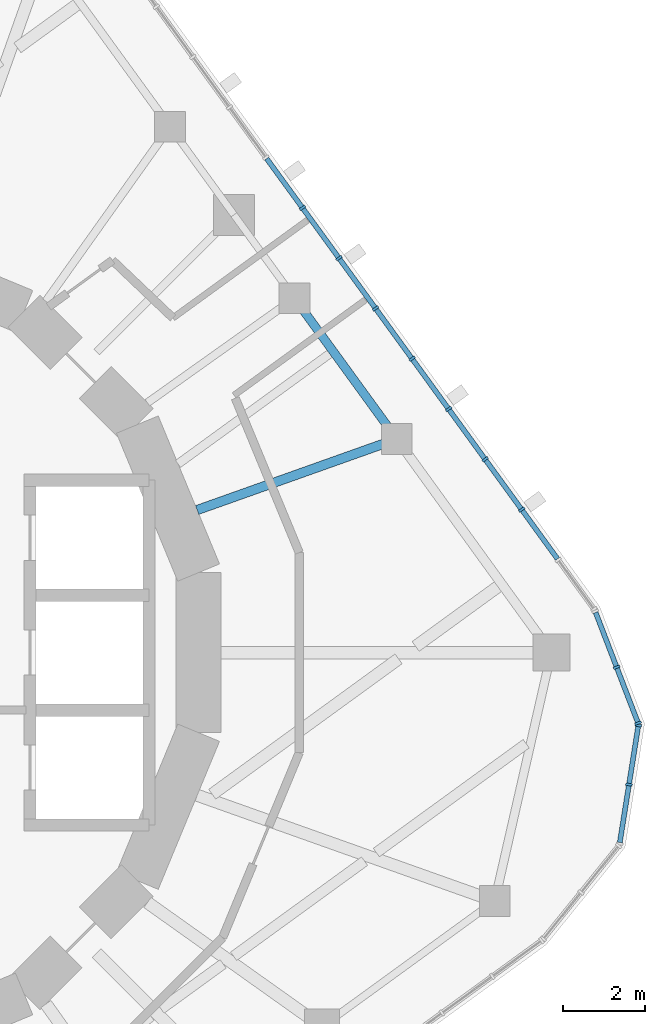
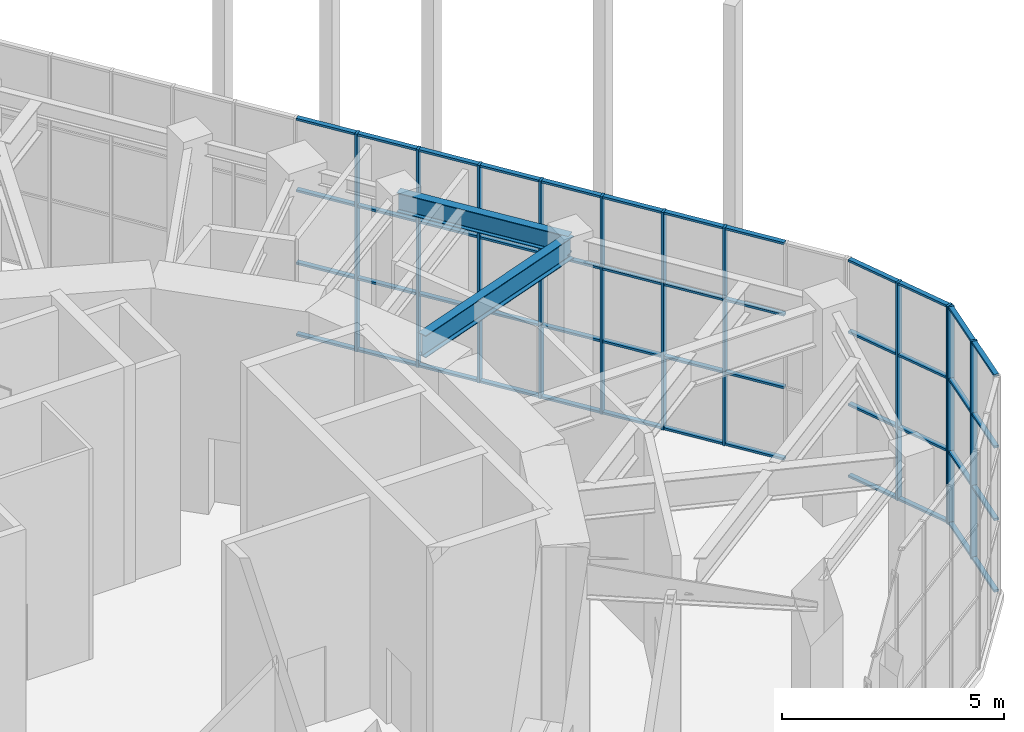
# One storey, part 8 of 17: 59 members, 2 beams, 3 elements without a shape of their own.
"""IFC4 building model written with IfcOpenShell, lengths in metres."""

from ifc_helpers import new_model, si_unit, direction, frame, origin, origin_2d, place, context, subcontext, project, spatial, rectangle, i_section, extrude, material, material_profile, profile_set, type_object, element, aggregate, save


model = new_model("IFC4")

# Units and contexts
model_context = context("Model", 3, precision=1e-05, world=origin(), true_north=direction((0.0, 1.0)))
body_context = subcontext(model_context, "Body", "Model", "MODEL_VIEW")
ifc_project = project(units=[si_unit("LENGTHUNIT", "METRE"), si_unit("AREAUNIT", "SQUARE_METRE"), si_unit("VOLUMEUNIT", "CUBIC_METRE"), si_unit("PLANEANGLEUNIT", "RADIAN"), si_unit("MASSUNIT", "GRAM", prefix="KILO")], contexts=[model_context])

# Site, building, storey
site_placement = place(None, origin())
site = spatial("IfcSite", under=ifc_project, at=site_placement, CompositionType="ELEMENT")
building_placement = place(site_placement, origin())
building = spatial("IfcBuilding", under=site, at=building_placement, Name="Nakasero Lantern House", CompositionType="ELEMENT")
storey_placement = place(building_placement, frame((0.0, 0.0, 298.39990234375)))
storey = spatial("IfcBuildingStorey", under=building, at=storey_placement, Name="L73", CompositionType="ELEMENT", Elevation=298.39990234375)

# Curtain wall, members
ifc_material_1 = material(Name="Aluminium 6063-T6 and glass", Category="aluminium")
curtain_wall_type = type_object("IfcCurtainWallType", Name="Lantern glazing CW-4", PredefinedType="USERDEFINED", material=ifc_material_1)
curtain_wall_1_placement = place(storey_placement, origin())
curtain_wall_1 = element("IfcCurtainWall", 1, at=curtain_wall_1_placement, inside=storey, type_object=curtain_wall_type, Name="Curtain wall CW-4 L73", ObjectType="UNITISED CURTAIN WALL", PredefinedType="USERDEFINED")
ifc_material_2 = material(Name="Aluminium 6063-T6", Category="aluminium")
ifc_material_profile_1 = material_profile(ifc_material_2, rectangle(XDim=0.06005859375, YDim=0.159912109375, at=origin_2d()), Name="CW-4 mullion 60x160")
ifc_profile_set_1 = profile_set([ifc_material_profile_1], Name="Aluminium 6063-T6")
member_type_1 = type_object("IfcMemberType", Name="Mullion CW-4", PredefinedType="MULLION", material=ifc_profile_set_1)
member_1_placement = place(storey_placement, frame((17.677734375, 3.48486328125, 0.0), z_axis=(0.0, 0.0, 1.0), x_axis=(-0.587785252292, 0.809016994375, 0.0)))
member_1 = element("IfcMember", 2, at=member_1_placement, type_object=member_type_1, Name="CW-4 mullion 3", PredefinedType="MULLION", context=body_context, shape_type="SweptSolid", body=[
    extrude(rectangle(XDim=0.06005859375, YDim=0.159912109375, at=origin_2d()), origin(), (0.0, 0.0, 1.0), 6.0),
])
member_2_placement = place(storey_placement, frame((16.787841796875, 4.7099609375, 0.0), z_axis=(0.0, 0.0, 1.0), x_axis=(-0.587785252292, 0.809016994375, 0.0)))
member_2 = element("IfcMember", 3, at=member_2_placement, type_object=member_type_1, Name="CW-4 mullion 4", PredefinedType="MULLION", context=body_context, shape_type="SweptSolid", body=[
    extrude(rectangle(XDim=0.06005859375, YDim=0.159912109375, at=origin_2d()), origin(), (0.0, 0.0, 1.0), 6.0),
])
member_3_placement = place(storey_placement, frame((15.897705078125, 5.93505859375, 0.0), z_axis=(0.0, 0.0, 1.0), x_axis=(-0.587785252292, 0.809016994375, 0.0)))
member_3 = element("IfcMember", 4, at=member_3_placement, type_object=member_type_1, Name="CW-4 mullion 5", PredefinedType="MULLION", context=body_context, shape_type="SweptSolid", body=[
    extrude(rectangle(XDim=0.06005859375, YDim=0.159912109375, at=origin_2d()), origin(), (0.0, 0.0, 1.0), 6.0),
])
member_4_placement = place(storey_placement, frame((15.007568359375, 7.16015625, 0.0), z_axis=(0.0, 0.0, 1.0), x_axis=(-0.587785252292, 0.809016994375, 0.0)))
member_4 = element("IfcMember", 5, at=member_4_placement, type_object=member_type_1, Name="CW-4 mullion 6", PredefinedType="MULLION", context=body_context, shape_type="SweptSolid", body=[
    extrude(rectangle(XDim=0.06005859375, YDim=0.159912109375, at=origin_2d()), origin(), (0.0, 0.0, 1.0), 6.0),
])
member_5_placement = place(storey_placement, frame((14.117431640625, 8.38525390625, 0.0), z_axis=(0.0, 0.0, 1.0), x_axis=(-0.587785252292, 0.809016994375, 0.0)))
member_5 = element("IfcMember", 6, at=member_5_placement, type_object=member_type_1, Name="CW-4 mullion 7", PredefinedType="MULLION", context=body_context, shape_type="SweptSolid", body=[
    extrude(rectangle(XDim=0.06005859375, YDim=0.159912109375, at=origin_2d()), origin(), (0.0, 0.0, 1.0), 6.0),
])
member_6_placement = place(storey_placement, frame((13.2275390625, 9.6103515625, 0.0), z_axis=(0.0, 0.0, 1.0), x_axis=(-0.587785252292, 0.809016994375, 0.0)))
member_6 = element("IfcMember", 7, at=member_6_placement, type_object=member_type_1, Name="CW-4 mullion 8", PredefinedType="MULLION", context=body_context, shape_type="SweptSolid", body=[
    extrude(rectangle(XDim=0.06005859375, YDim=0.159912109375, at=origin_2d()), origin(), (0.0, 0.0, 1.0), 6.0),
])
member_7_placement = place(storey_placement, frame((12.33740234375, 10.83544921875, 0.0), z_axis=(0.0, 0.0, 1.0), x_axis=(-0.587785252292, 0.809016994375, 0.0)))
member_7 = element("IfcMember", 8, at=member_7_placement, type_object=member_type_1, Name="CW-4 mullion 9", PredefinedType="MULLION", context=body_context, shape_type="SweptSolid", body=[
    extrude(rectangle(XDim=0.06005859375, YDim=0.159912109375, at=origin_2d()), origin(), (0.0, 0.0, 1.0), 6.0),
])

curtain_wall_2_placement = place(storey_placement, origin())
curtain_wall_2 = element("IfcCurtainWall", 9, at=curtain_wall_2_placement, inside=storey, type_object=curtain_wall_type, Name="Curtain wall CW-4 L73", ObjectType="UNITISED CURTAIN WALL", PredefinedType="USERDEFINED")
member_8_placement = place(storey_placement, frame((20.291748046875, -3.2138671875, 0.0), z_axis=(0.0, 0.0, 1.0), x_axis=(0.15643446504, 0.987688340595, 0.0)))
member_8 = element("IfcMember", 10, at=member_8_placement, type_object=member_type_1, Name="CW-4 mullion 2", PredefinedType="MULLION", context=body_context, shape_type="SweptSolid", body=[
    extrude(rectangle(XDim=0.06005859375, YDim=0.159912109375, at=origin_2d()), origin(), (0.0, 0.0, 1.0), 6.0),
])
member_9_placement = place(storey_placement, frame((20.52001953125, -1.773681640625, 0.0), z_axis=(0.0, 0.0, 1.0), x_axis=(0.15643446504, 0.987688340595, 0.0)))
member_9 = element("IfcMember", 11, at=member_9_placement, type_object=member_type_1, Name="CW-4 mullion 3", PredefinedType="MULLION", context=body_context, shape_type="SweptSolid", body=[
    extrude(rectangle(XDim=0.06005859375, YDim=0.159912109375, at=origin_2d()), origin(), (0.0, 0.0, 1.0), 6.0),
])

curtain_wall_3_placement = place(storey_placement, origin())
curtain_wall_3 = element("IfcCurtainWall", 12, at=curtain_wall_3_placement, inside=storey, type_object=curtain_wall_type, Name="Curtain wall CW-4 L73", ObjectType="UNITISED CURTAIN WALL", PredefinedType="USERDEFINED")
member_10_placement = place(storey_placement, frame((20.513916015625, -1.716064453125, 0.0), z_axis=(0.0, 0.0, 1.0), x_axis=(-0.358367949545, 0.933580426497, 0.0)))
member_10 = element("IfcMember", 13, at=member_10_placement, type_object=member_type_1, Name="CW-4 mullion 1", PredefinedType="MULLION", context=body_context, shape_type="SweptSolid", body=[
    extrude(rectangle(XDim=0.06005859375, YDim=0.159912109375, at=origin_2d()), origin(), (0.0, 0.0, 1.0), 6.0),
])
member_11_placement = place(storey_placement, frame((19.9912109375, -0.354736328125, 0.0), z_axis=(0.0, 0.0, 1.0), x_axis=(-0.358367949545, 0.933580426497, 0.0)))
member_11 = element("IfcMember", 14, at=member_11_placement, type_object=member_type_1, Name="CW-4 mullion 2", PredefinedType="MULLION", context=body_context, shape_type="SweptSolid", body=[
    extrude(rectangle(XDim=0.06005859375, YDim=0.159912109375, at=origin_2d()), origin(), (0.0, 0.0, 1.0), 6.0),
])

# Beams
ifc_material_3 = material(Name="Steel S355", Category="steel")
ifc_material_profile_2 = material_profile(ifc_material_3, i_section(OverallWidth=0.22900390625, OverallDepth=0.6123046875, WebThickness=0.011962890625, FlangeThickness=0.01953125, FilletRadius=0.0126953125, at=origin_2d()), Name="UB 610x229x125")
ifc_profile_set_2 = profile_set([ifc_material_profile_2], Name="Steel S355")
beam_type_1 = type_object("IfcBeamType", Name="Primary beam UB 610x229x125, span to 6 m", PredefinedType="BEAM", material=ifc_profile_set_2)
beam_1_placement = place(storey_placement, frame((14.636474609375, 5.2041015625, 5.493896484375), z_axis=(-0.942221324153, -0.3349910093, 0.0), x_axis=(0.3349910093, -0.942221324153, 0.0)))
element("IfcBeam", 15, at=beam_1_placement, inside=storey, type_object=beam_type_1, Name="Primary beam L74 B7-C04", PredefinedType="BEAM", context=body_context, shape_type="SweptSolid", body=[
    extrude(i_section(OverallWidth=0.22900390625, OverallDepth=0.6123046875, WebThickness=0.011962890625, FlangeThickness=0.01953125, FilletRadius=0.0126953125, at=origin_2d()), origin(), (0.0, 0.0, 1.0), 5.162841796875),
])
ifc_material_4 = material(Name="Steel S355", Category="steel")
ifc_material_profile_3 = material_profile(ifc_material_4, i_section(OverallWidth=0.2099609375, OverallDepth=0.53662109375, WebThickness=0.0107421875, FlangeThickness=0.017333984375, FilletRadius=0.0126953125, at=origin_2d()), Name="UB 533x210x101")
ifc_profile_set_3 = profile_set([ifc_material_profile_3], Name="Steel S355")
beam_type_2 = type_object("IfcBeamType", Name="Ring beam UB 533x210x101", PredefinedType="BEAM", material=ifc_profile_set_3)
beam_2_placement = place(storey_placement, frame((14.636474609375, 5.2041015625, 5.53173828125), z_axis=(-0.587791706687, 0.809012304944, 0.0), x_axis=(-0.809012304944, -0.587791706687, 0.0)))
element("IfcBeam", 16, at=beam_2_placement, inside=storey, type_object=beam_type_2, Name="Ring beam L74 B7-C04", PredefinedType="BEAM", context=body_context, shape_type="SweptSolid", body=[
    extrude(i_section(OverallWidth=0.2099609375, OverallDepth=0.53662109375, WebThickness=0.0107421875, FlangeThickness=0.017333984375, FilletRadius=0.0126953125, at=origin_2d()), origin(), (0.0, 0.0, 1.0), 4.2412109375),
])

# Member
ifc_material_5 = material(Name="Aluminium 6063-T6", Category="aluminium")
ifc_material_profile_4 = material_profile(ifc_material_5, rectangle(XDim=0.06005859375, YDim=0.1201171875, at=origin_2d()), Name="CW-4 transom 60x120")
ifc_profile_set_4 = profile_set([ifc_material_profile_4], Name="Aluminium 6063-T6")
member_type_2 = type_object("IfcMemberType", Name="Transom CW-4", PredefinedType="USERDEFINED", material=ifc_profile_set_4)
member_12_placement = place(storey_placement, frame((18.55029296875, 2.2841796875, 0.030029296875), z_axis=(-0.587762348068, 0.809033634773, 0.0), x_axis=(0.0, 0.0, 1.0)))
member_12 = element("IfcMember", 17, at=member_12_placement, type_object=member_type_2, Name="CW-4 transom 2.1", ObjectType="TRANSOM", PredefinedType="USERDEFINED", context=body_context, shape_type="SweptSolid", body=[
    extrude(rectangle(XDim=0.06005859375, YDim=0.1201171875, at=origin_2d()), origin(), (0.0, 0.0, 1.0), 1.4541015625),
])

member_13_placement = place(storey_placement, frame((18.55029296875, 2.2841796875, 2.0), z_axis=(-0.587762348068, 0.809033634773, 0.0), x_axis=(0.0, 0.0, 1.0)))
member_13 = element("IfcMember", 18, at=member_13_placement, type_object=member_type_2, Name="CW-4 transom 2.2", ObjectType="TRANSOM", PredefinedType="USERDEFINED", context=body_context, shape_type="SweptSolid", body=[
    extrude(rectangle(XDim=0.06005859375, YDim=0.1201171875, at=origin_2d()), origin(), (0.0, 0.0, 1.0), 1.4541015625),
])

member_14_placement = place(storey_placement, frame((18.55029296875, 2.2841796875, 4.0), z_axis=(-0.587762348068, 0.809033634773, 0.0), x_axis=(0.0, 0.0, 1.0)))
member_14 = element("IfcMember", 19, at=member_14_placement, type_object=member_type_2, Name="CW-4 transom 2.3", ObjectType="TRANSOM", PredefinedType="USERDEFINED", context=body_context, shape_type="SweptSolid", body=[
    extrude(rectangle(XDim=0.06005859375, YDim=0.1201171875, at=origin_2d()), origin(), (0.0, 0.0, 1.0), 1.4541015625),
])

member_15_placement = place(storey_placement, frame((18.55029296875, 2.2841796875, 5.97021484375), z_axis=(-0.587762348068, 0.809033634773, 0.0), x_axis=(0.0, 0.0, 1.0)))
member_15 = element("IfcMember", 20, at=member_15_placement, type_object=member_type_2, Name="CW-4 transom 2.4", ObjectType="TRANSOM", PredefinedType="USERDEFINED", context=body_context, shape_type="SweptSolid", body=[
    extrude(rectangle(XDim=0.06005859375, YDim=0.1201171875, at=origin_2d()), origin(), (0.0, 0.0, 1.0), 1.4541015625),
])

member_16_placement = place(storey_placement, frame((17.66015625, 3.509033203125, 0.030029296875), z_axis=(-0.587682523869, 0.809091620979, 0.0), x_axis=(0.0, 0.0, 1.0)))
member_16 = element("IfcMember", 21, at=member_16_placement, type_object=member_type_2, Name="CW-4 transom 3.1", ObjectType="TRANSOM", PredefinedType="USERDEFINED", context=body_context, shape_type="SweptSolid", body=[
    extrude(rectangle(XDim=0.06005859375, YDim=0.1201171875, at=origin_2d()), origin(), (0.0, 0.0, 1.0), 1.454345703125),
])

member_17_placement = place(storey_placement, frame((17.66015625, 3.509033203125, 2.0), z_axis=(-0.587682523869, 0.809091620979, 0.0), x_axis=(0.0, 0.0, 1.0)))
member_17 = element("IfcMember", 22, at=member_17_placement, type_object=member_type_2, Name="CW-4 transom 3.2", ObjectType="TRANSOM", PredefinedType="USERDEFINED", context=body_context, shape_type="SweptSolid", body=[
    extrude(rectangle(XDim=0.06005859375, YDim=0.1201171875, at=origin_2d()), origin(), (0.0, 0.0, 1.0), 1.454345703125),
])

member_18_placement = place(storey_placement, frame((17.66015625, 3.509033203125, 4.0), z_axis=(-0.587682523869, 0.809091620979, 0.0), x_axis=(0.0, 0.0, 1.0)))
member_18 = element("IfcMember", 23, at=member_18_placement, type_object=member_type_2, Name="CW-4 transom 3.3", ObjectType="TRANSOM", PredefinedType="USERDEFINED", context=body_context, shape_type="SweptSolid", body=[
    extrude(rectangle(XDim=0.06005859375, YDim=0.1201171875, at=origin_2d()), origin(), (0.0, 0.0, 1.0), 1.454345703125),
])

member_19_placement = place(storey_placement, frame((17.66015625, 3.509033203125, 5.97021484375), z_axis=(-0.587682523869, 0.809091620979, 0.0), x_axis=(0.0, 0.0, 1.0)))
member_19 = element("IfcMember", 24, at=member_19_placement, type_object=member_type_2, Name="CW-4 transom 3.4", ObjectType="TRANSOM", PredefinedType="USERDEFINED", context=body_context, shape_type="SweptSolid", body=[
    extrude(rectangle(XDim=0.06005859375, YDim=0.1201171875, at=origin_2d()), origin(), (0.0, 0.0, 1.0), 1.454345703125),
])

member_20_placement = place(storey_placement, frame((16.77001953125, 4.734130859375, 0.030029296875), z_axis=(-0.587682523869, 0.809091620979, 0.0), x_axis=(0.0, 0.0, 1.0)))
member_20 = element("IfcMember", 25, at=member_20_placement, type_object=member_type_2, Name="CW-4 transom 4.1", ObjectType="TRANSOM", PredefinedType="USERDEFINED", context=body_context, shape_type="SweptSolid", body=[
    extrude(rectangle(XDim=0.06005859375, YDim=0.1201171875, at=origin_2d()), origin(), (0.0, 0.0, 1.0), 1.454345703125),
])

member_21_placement = place(storey_placement, frame((16.77001953125, 4.734130859375, 2.0), z_axis=(-0.587682523869, 0.809091620979, 0.0), x_axis=(0.0, 0.0, 1.0)))
member_21 = element("IfcMember", 26, at=member_21_placement, type_object=member_type_2, Name="CW-4 transom 4.2", ObjectType="TRANSOM", PredefinedType="USERDEFINED", context=body_context, shape_type="SweptSolid", body=[
    extrude(rectangle(XDim=0.06005859375, YDim=0.1201171875, at=origin_2d()), origin(), (0.0, 0.0, 1.0), 1.454345703125),
])

member_22_placement = place(storey_placement, frame((16.77001953125, 4.734130859375, 4.0), z_axis=(-0.587682523869, 0.809091620979, 0.0), x_axis=(0.0, 0.0, 1.0)))
member_22 = element("IfcMember", 27, at=member_22_placement, type_object=member_type_2, Name="CW-4 transom 4.3", ObjectType="TRANSOM", PredefinedType="USERDEFINED", context=body_context, shape_type="SweptSolid", body=[
    extrude(rectangle(XDim=0.06005859375, YDim=0.1201171875, at=origin_2d()), origin(), (0.0, 0.0, 1.0), 1.454345703125),
])

member_23_placement = place(storey_placement, frame((16.77001953125, 4.734130859375, 5.97021484375), z_axis=(-0.587682523869, 0.809091620979, 0.0), x_axis=(0.0, 0.0, 1.0)))
member_23 = element("IfcMember", 28, at=member_23_placement, type_object=member_type_2, Name="CW-4 transom 4.4", ObjectType="TRANSOM", PredefinedType="USERDEFINED", context=body_context, shape_type="SweptSolid", body=[
    extrude(rectangle(XDim=0.06005859375, YDim=0.1201171875, at=origin_2d()), origin(), (0.0, 0.0, 1.0), 1.454345703125),
])

member_24_placement = place(storey_placement, frame((15.880126953125, 5.959228515625, 0.030029296875), z_axis=(-0.587872217916, 0.808953803009, 0.0), x_axis=(0.0, 0.0, 1.0)))
member_24 = element("IfcMember", 29, at=member_24_placement, type_object=member_type_2, Name="CW-4 transom 5.1", ObjectType="TRANSOM", PredefinedType="USERDEFINED", context=body_context, shape_type="SweptSolid", body=[
    extrude(rectangle(XDim=0.06005859375, YDim=0.1201171875, at=origin_2d()), origin(), (0.0, 0.0, 1.0), 1.454345703125),
])

member_25_placement = place(storey_placement, frame((15.880126953125, 5.959228515625, 2.0), z_axis=(-0.587872217916, 0.808953803009, 0.0), x_axis=(0.0, 0.0, 1.0)))
member_25 = element("IfcMember", 30, at=member_25_placement, type_object=member_type_2, Name="CW-4 transom 5.2", ObjectType="TRANSOM", PredefinedType="USERDEFINED", context=body_context, shape_type="SweptSolid", body=[
    extrude(rectangle(XDim=0.06005859375, YDim=0.1201171875, at=origin_2d()), origin(), (0.0, 0.0, 1.0), 1.454345703125),
])

member_26_placement = place(storey_placement, frame((15.880126953125, 5.959228515625, 4.0), z_axis=(-0.587872217916, 0.808953803009, 0.0), x_axis=(0.0, 0.0, 1.0)))
member_26 = element("IfcMember", 31, at=member_26_placement, type_object=member_type_2, Name="CW-4 transom 5.3", ObjectType="TRANSOM", PredefinedType="USERDEFINED", context=body_context, shape_type="SweptSolid", body=[
    extrude(rectangle(XDim=0.06005859375, YDim=0.1201171875, at=origin_2d()), origin(), (0.0, 0.0, 1.0), 1.454345703125),
])

member_27_placement = place(storey_placement, frame((15.880126953125, 5.959228515625, 5.97021484375), z_axis=(-0.587872217916, 0.808953803009, 0.0), x_axis=(0.0, 0.0, 1.0)))
member_27 = element("IfcMember", 32, at=member_27_placement, type_object=member_type_2, Name="CW-4 transom 5.4", ObjectType="TRANSOM", PredefinedType="USERDEFINED", context=body_context, shape_type="SweptSolid", body=[
    extrude(rectangle(XDim=0.06005859375, YDim=0.1201171875, at=origin_2d()), origin(), (0.0, 0.0, 1.0), 1.454345703125),
])

member_28_placement = place(storey_placement, frame((14.989990234375, 7.184326171875, 0.030029296875), z_axis=(-0.587762348068, 0.809033634773, 0.0), x_axis=(0.0, 0.0, 1.0)))
member_28 = element("IfcMember", 33, at=member_28_placement, type_object=member_type_2, Name="CW-4 transom 6.1", ObjectType="TRANSOM", PredefinedType="USERDEFINED", context=body_context, shape_type="SweptSolid", body=[
    extrude(rectangle(XDim=0.06005859375, YDim=0.1201171875, at=origin_2d()), origin(), (0.0, 0.0, 1.0), 1.4541015625),
])

member_29_placement = place(storey_placement, frame((14.989990234375, 7.184326171875, 2.0), z_axis=(-0.587762348068, 0.809033634773, 0.0), x_axis=(0.0, 0.0, 1.0)))
member_29 = element("IfcMember", 34, at=member_29_placement, type_object=member_type_2, Name="CW-4 transom 6.2", ObjectType="TRANSOM", PredefinedType="USERDEFINED", context=body_context, shape_type="SweptSolid", body=[
    extrude(rectangle(XDim=0.06005859375, YDim=0.1201171875, at=origin_2d()), origin(), (0.0, 0.0, 1.0), 1.4541015625),
])

member_30_placement = place(storey_placement, frame((14.989990234375, 7.184326171875, 4.0), z_axis=(-0.587762348068, 0.809033634773, 0.0), x_axis=(0.0, 0.0, 1.0)))
member_30 = element("IfcMember", 35, at=member_30_placement, type_object=member_type_2, Name="CW-4 transom 6.3", ObjectType="TRANSOM", PredefinedType="USERDEFINED", context=body_context, shape_type="SweptSolid", body=[
    extrude(rectangle(XDim=0.06005859375, YDim=0.1201171875, at=origin_2d()), origin(), (0.0, 0.0, 1.0), 1.4541015625),
])

member_31_placement = place(storey_placement, frame((14.989990234375, 7.184326171875, 5.97021484375), z_axis=(-0.587762348068, 0.809033634773, 0.0), x_axis=(0.0, 0.0, 1.0)))
member_31 = element("IfcMember", 36, at=member_31_placement, type_object=member_type_2, Name="CW-4 transom 6.4", ObjectType="TRANSOM", PredefinedType="USERDEFINED", context=body_context, shape_type="SweptSolid", body=[
    extrude(rectangle(XDim=0.06005859375, YDim=0.1201171875, at=origin_2d()), origin(), (0.0, 0.0, 1.0), 1.4541015625),
])

member_32_placement = place(storey_placement, frame((14.099853515625, 8.409423828125, 0.030029296875), z_axis=(-0.587762348068, 0.809033634773, 0.0), x_axis=(0.0, 0.0, 1.0)))
member_32 = element("IfcMember", 37, at=member_32_placement, type_object=member_type_2, Name="CW-4 transom 7.1", ObjectType="TRANSOM", PredefinedType="USERDEFINED", context=body_context, shape_type="SweptSolid", body=[
    extrude(rectangle(XDim=0.06005859375, YDim=0.1201171875, at=origin_2d()), origin(), (0.0, 0.0, 1.0), 1.4541015625),
])

member_33_placement = place(storey_placement, frame((14.099853515625, 8.409423828125, 2.0), z_axis=(-0.587762348068, 0.809033634773, 0.0), x_axis=(0.0, 0.0, 1.0)))
member_33 = element("IfcMember", 38, at=member_33_placement, type_object=member_type_2, Name="CW-4 transom 7.2", ObjectType="TRANSOM", PredefinedType="USERDEFINED", context=body_context, shape_type="SweptSolid", body=[
    extrude(rectangle(XDim=0.06005859375, YDim=0.1201171875, at=origin_2d()), origin(), (0.0, 0.0, 1.0), 1.4541015625),
])

member_34_placement = place(storey_placement, frame((14.099853515625, 8.409423828125, 4.0), z_axis=(-0.587762348068, 0.809033634773, 0.0), x_axis=(0.0, 0.0, 1.0)))
member_34 = element("IfcMember", 39, at=member_34_placement, type_object=member_type_2, Name="CW-4 transom 7.3", ObjectType="TRANSOM", PredefinedType="USERDEFINED", context=body_context, shape_type="SweptSolid", body=[
    extrude(rectangle(XDim=0.06005859375, YDim=0.1201171875, at=origin_2d()), origin(), (0.0, 0.0, 1.0), 1.4541015625),
])

member_35_placement = place(storey_placement, frame((14.099853515625, 8.409423828125, 5.97021484375), z_axis=(-0.587762348068, 0.809033634773, 0.0), x_axis=(0.0, 0.0, 1.0)))
member_35 = element("IfcMember", 40, at=member_35_placement, type_object=member_type_2, Name="CW-4 transom 7.4", ObjectType="TRANSOM", PredefinedType="USERDEFINED", context=body_context, shape_type="SweptSolid", body=[
    extrude(rectangle(XDim=0.06005859375, YDim=0.1201171875, at=origin_2d()), origin(), (0.0, 0.0, 1.0), 1.4541015625),
])

member_36_placement = place(storey_placement, frame((13.209716796875, 9.634521484375, 0.030029296875), z_axis=(-0.587762348068, 0.809033634773, 0.0), x_axis=(0.0, 0.0, 1.0)))
member_36 = element("IfcMember", 41, at=member_36_placement, type_object=member_type_2, Name="CW-4 transom 8.1", ObjectType="TRANSOM", PredefinedType="USERDEFINED", context=body_context, shape_type="SweptSolid", body=[
    extrude(rectangle(XDim=0.06005859375, YDim=0.1201171875, at=origin_2d()), origin(), (0.0, 0.0, 1.0), 1.4541015625),
])

member_37_placement = place(storey_placement, frame((13.209716796875, 9.634521484375, 2.0), z_axis=(-0.587762348068, 0.809033634773, 0.0), x_axis=(0.0, 0.0, 1.0)))
member_37 = element("IfcMember", 42, at=member_37_placement, type_object=member_type_2, Name="CW-4 transom 8.2", ObjectType="TRANSOM", PredefinedType="USERDEFINED", context=body_context, shape_type="SweptSolid", body=[
    extrude(rectangle(XDim=0.06005859375, YDim=0.1201171875, at=origin_2d()), origin(), (0.0, 0.0, 1.0), 1.4541015625),
])

member_38_placement = place(storey_placement, frame((13.209716796875, 9.634521484375, 4.0), z_axis=(-0.587762348068, 0.809033634773, 0.0), x_axis=(0.0, 0.0, 1.0)))
member_38 = element("IfcMember", 43, at=member_38_placement, type_object=member_type_2, Name="CW-4 transom 8.3", ObjectType="TRANSOM", PredefinedType="USERDEFINED", context=body_context, shape_type="SweptSolid", body=[
    extrude(rectangle(XDim=0.06005859375, YDim=0.1201171875, at=origin_2d()), origin(), (0.0, 0.0, 1.0), 1.4541015625),
])

member_39_placement = place(storey_placement, frame((13.209716796875, 9.634521484375, 5.97021484375), z_axis=(-0.587762348068, 0.809033634773, 0.0), x_axis=(0.0, 0.0, 1.0)))
member_39 = element("IfcMember", 44, at=member_39_placement, type_object=member_type_2, Name="CW-4 transom 8.4", ObjectType="TRANSOM", PredefinedType="USERDEFINED", context=body_context, shape_type="SweptSolid", body=[
    extrude(rectangle(XDim=0.06005859375, YDim=0.1201171875, at=origin_2d()), origin(), (0.0, 0.0, 1.0), 1.4541015625),
])

member_40_placement = place(storey_placement, frame((12.31982421875, 10.859619140625, 0.030029296875), z_axis=(-0.587872217916, 0.808953803009, 0.0), x_axis=(0.0, 0.0, 1.0)))
member_40 = element("IfcMember", 45, at=member_40_placement, type_object=member_type_2, Name="CW-4 transom 9.1", ObjectType="TRANSOM", PredefinedType="USERDEFINED", context=body_context, shape_type="SweptSolid", body=[
    extrude(rectangle(XDim=0.06005859375, YDim=0.1201171875, at=origin_2d()), origin(), (0.0, 0.0, 1.0), 1.454345703125),
])

member_41_placement = place(storey_placement, frame((12.31982421875, 10.859619140625, 2.0), z_axis=(-0.587872217916, 0.808953803009, 0.0), x_axis=(0.0, 0.0, 1.0)))
member_41 = element("IfcMember", 46, at=member_41_placement, type_object=member_type_2, Name="CW-4 transom 9.2", ObjectType="TRANSOM", PredefinedType="USERDEFINED", context=body_context, shape_type="SweptSolid", body=[
    extrude(rectangle(XDim=0.06005859375, YDim=0.1201171875, at=origin_2d()), origin(), (0.0, 0.0, 1.0), 1.454345703125),
])

member_42_placement = place(storey_placement, frame((12.31982421875, 10.859619140625, 4.0), z_axis=(-0.587872217916, 0.808953803009, 0.0), x_axis=(0.0, 0.0, 1.0)))
member_42 = element("IfcMember", 47, at=member_42_placement, type_object=member_type_2, Name="CW-4 transom 9.3", ObjectType="TRANSOM", PredefinedType="USERDEFINED", context=body_context, shape_type="SweptSolid", body=[
    extrude(rectangle(XDim=0.06005859375, YDim=0.1201171875, at=origin_2d()), origin(), (0.0, 0.0, 1.0), 1.454345703125),
])

member_43_placement = place(storey_placement, frame((12.31982421875, 10.859619140625, 5.97021484375), z_axis=(-0.587872217916, 0.808953803009, 0.0), x_axis=(0.0, 0.0, 1.0)))
member_43 = element("IfcMember", 48, at=member_43_placement, type_object=member_type_2, Name="CW-4 transom 9.4", ObjectType="TRANSOM", PredefinedType="USERDEFINED", context=body_context, shape_type="SweptSolid", body=[
    extrude(rectangle(XDim=0.06005859375, YDim=0.1201171875, at=origin_2d()), origin(), (0.0, 0.0, 1.0), 1.454345703125),
])

aggregate(curtain_wall_1, [member_1, member_2, member_3, member_4, member_5, member_6, member_7, member_12, member_13, member_14, member_15, member_16, member_17, member_18, member_19, member_20, member_21, member_22, member_23, member_24, member_25, member_26, member_27, member_28, member_29, member_30, member_31, member_32, member_33, member_34, member_35, member_36, member_37, member_38, member_39, member_40, member_41, member_42, member_43])

member_44_placement = place(storey_placement, frame((20.068359375, -4.62451171875, 0.030029296875), z_axis=(0.156464720495, 0.987683548127, 0.0), x_axis=(0.0, 0.0, 1.0)))
member_44 = element("IfcMember", 49, at=member_44_placement, type_object=member_type_2, Name="CW-4 transom 1.1", ObjectType="TRANSOM", PredefinedType="USERDEFINED", context=body_context, shape_type="SweptSolid", body=[
    extrude(rectangle(XDim=0.06005859375, YDim=0.1201171875, at=origin_2d()), origin(), (0.0, 0.0, 1.0), 1.398193359375),
])

member_45_placement = place(storey_placement, frame((20.068359375, -4.62451171875, 2.0), z_axis=(0.156464720495, 0.987683548127, 0.0), x_axis=(0.0, 0.0, 1.0)))
member_45 = element("IfcMember", 50, at=member_45_placement, type_object=member_type_2, Name="CW-4 transom 1.2", ObjectType="TRANSOM", PredefinedType="USERDEFINED", context=body_context, shape_type="SweptSolid", body=[
    extrude(rectangle(XDim=0.06005859375, YDim=0.1201171875, at=origin_2d()), origin(), (0.0, 0.0, 1.0), 1.398193359375),
])

member_46_placement = place(storey_placement, frame((20.068359375, -4.62451171875, 4.0), z_axis=(0.156464720495, 0.987683548127, 0.0), x_axis=(0.0, 0.0, 1.0)))
member_46 = element("IfcMember", 51, at=member_46_placement, type_object=member_type_2, Name="CW-4 transom 1.3", ObjectType="TRANSOM", PredefinedType="USERDEFINED", context=body_context, shape_type="SweptSolid", body=[
    extrude(rectangle(XDim=0.06005859375, YDim=0.1201171875, at=origin_2d()), origin(), (0.0, 0.0, 1.0), 1.398193359375),
])

member_47_placement = place(storey_placement, frame((20.068359375, -4.62451171875, 5.97021484375), z_axis=(0.156464720495, 0.987683548127, 0.0), x_axis=(0.0, 0.0, 1.0)))
member_47 = element("IfcMember", 52, at=member_47_placement, type_object=member_type_2, Name="CW-4 transom 1.4", ObjectType="TRANSOM", PredefinedType="USERDEFINED", context=body_context, shape_type="SweptSolid", body=[
    extrude(rectangle(XDim=0.06005859375, YDim=0.1201171875, at=origin_2d()), origin(), (0.0, 0.0, 1.0), 1.398193359375),
])

member_48_placement = place(storey_placement, frame((20.29638671875, -3.184326171875, 0.030029296875), z_axis=(0.156437738833, 0.987687822072, 0.0), x_axis=(0.0, 0.0, 1.0)))
member_48 = element("IfcMember", 53, at=member_48_placement, type_object=member_type_2, Name="CW-4 transom 2.1", ObjectType="TRANSOM", PredefinedType="USERDEFINED", context=body_context, shape_type="SweptSolid", body=[
    extrude(rectangle(XDim=0.06005859375, YDim=0.1201171875, at=origin_2d()), origin(), (0.0, 0.0, 1.0), 1.3984375),
])

member_49_placement = place(storey_placement, frame((20.29638671875, -3.184326171875, 2.0), z_axis=(0.156437738833, 0.987687822072, 0.0), x_axis=(0.0, 0.0, 1.0)))
member_49 = element("IfcMember", 54, at=member_49_placement, type_object=member_type_2, Name="CW-4 transom 2.2", ObjectType="TRANSOM", PredefinedType="USERDEFINED", context=body_context, shape_type="SweptSolid", body=[
    extrude(rectangle(XDim=0.06005859375, YDim=0.1201171875, at=origin_2d()), origin(), (0.0, 0.0, 1.0), 1.3984375),
])

member_50_placement = place(storey_placement, frame((20.29638671875, -3.184326171875, 4.0), z_axis=(0.156437738833, 0.987687822072, 0.0), x_axis=(0.0, 0.0, 1.0)))
member_50 = element("IfcMember", 55, at=member_50_placement, type_object=member_type_2, Name="CW-4 transom 2.3", ObjectType="TRANSOM", PredefinedType="USERDEFINED", context=body_context, shape_type="SweptSolid", body=[
    extrude(rectangle(XDim=0.06005859375, YDim=0.1201171875, at=origin_2d()), origin(), (0.0, 0.0, 1.0), 1.3984375),
])

member_51_placement = place(storey_placement, frame((20.29638671875, -3.184326171875, 5.97021484375), z_axis=(0.156437738833, 0.987687822072, 0.0), x_axis=(0.0, 0.0, 1.0)))
member_51 = element("IfcMember", 56, at=member_51_placement, type_object=member_type_2, Name="CW-4 transom 2.4", ObjectType="TRANSOM", PredefinedType="USERDEFINED", context=body_context, shape_type="SweptSolid", body=[
    extrude(rectangle(XDim=0.06005859375, YDim=0.1201171875, at=origin_2d()), origin(), (0.0, 0.0, 1.0), 1.3984375),
])

aggregate(curtain_wall_2, [member_8, member_9, member_44, member_45, member_46, member_47, member_48, member_49, member_50, member_51])

member_52_placement = place(storey_placement, frame((20.503173828125, -1.68798828125, 0.030029296875), z_axis=(-0.358440839092, 0.933552443557, 0.0), x_axis=(0.0, 0.0, 1.0)))
member_52 = element("IfcMember", 57, at=member_52_placement, type_object=member_type_2, Name="CW-4 transom 1.1", ObjectType="TRANSOM", PredefinedType="USERDEFINED", context=body_context, shape_type="SweptSolid", body=[
    extrude(rectangle(XDim=0.06005859375, YDim=0.1201171875, at=origin_2d()), origin(), (0.0, 0.0, 1.0), 1.3984375),
])

member_53_placement = place(storey_placement, frame((20.503173828125, -1.68798828125, 2.0), z_axis=(-0.358440839092, 0.933552443557, 0.0), x_axis=(0.0, 0.0, 1.0)))
member_53 = element("IfcMember", 58, at=member_53_placement, type_object=member_type_2, Name="CW-4 transom 1.2", ObjectType="TRANSOM", PredefinedType="USERDEFINED", context=body_context, shape_type="SweptSolid", body=[
    extrude(rectangle(XDim=0.06005859375, YDim=0.1201171875, at=origin_2d()), origin(), (0.0, 0.0, 1.0), 1.3984375),
])

member_54_placement = place(storey_placement, frame((20.503173828125, -1.68798828125, 4.0), z_axis=(-0.358440839092, 0.933552443557, 0.0), x_axis=(0.0, 0.0, 1.0)))
member_54 = element("IfcMember", 59, at=member_54_placement, type_object=member_type_2, Name="CW-4 transom 1.3", ObjectType="TRANSOM", PredefinedType="USERDEFINED", context=body_context, shape_type="SweptSolid", body=[
    extrude(rectangle(XDim=0.06005859375, YDim=0.1201171875, at=origin_2d()), origin(), (0.0, 0.0, 1.0), 1.3984375),
])

member_55_placement = place(storey_placement, frame((20.503173828125, -1.68798828125, 5.97021484375), z_axis=(-0.358440839092, 0.933552443557, 0.0), x_axis=(0.0, 0.0, 1.0)))
member_55 = element("IfcMember", 60, at=member_55_placement, type_object=member_type_2, Name="CW-4 transom 1.4", ObjectType="TRANSOM", PredefinedType="USERDEFINED", context=body_context, shape_type="SweptSolid", body=[
    extrude(rectangle(XDim=0.06005859375, YDim=0.1201171875, at=origin_2d()), origin(), (0.0, 0.0, 1.0), 1.3984375),
])

member_56_placement = place(storey_placement, frame((19.98046875, -0.32666015625, 0.030029296875), z_axis=(-0.35828866289, 0.93361085793, 0.0), x_axis=(0.0, 0.0, 1.0)))
member_56 = element("IfcMember", 61, at=member_56_placement, type_object=member_type_2, Name="CW-4 transom 2.1", ObjectType="TRANSOM", PredefinedType="USERDEFINED", context=body_context, shape_type="SweptSolid", body=[
    extrude(rectangle(XDim=0.06005859375, YDim=0.1201171875, at=origin_2d()), origin(), (0.0, 0.0, 1.0), 1.398193359375),
])

member_57_placement = place(storey_placement, frame((19.98046875, -0.32666015625, 2.0), z_axis=(-0.35828866289, 0.93361085793, 0.0), x_axis=(0.0, 0.0, 1.0)))
member_57 = element("IfcMember", 62, at=member_57_placement, type_object=member_type_2, Name="CW-4 transom 2.2", ObjectType="TRANSOM", PredefinedType="USERDEFINED", context=body_context, shape_type="SweptSolid", body=[
    extrude(rectangle(XDim=0.06005859375, YDim=0.1201171875, at=origin_2d()), origin(), (0.0, 0.0, 1.0), 1.398193359375),
])

member_58_placement = place(storey_placement, frame((19.98046875, -0.32666015625, 4.0), z_axis=(-0.35828866289, 0.93361085793, 0.0), x_axis=(0.0, 0.0, 1.0)))
member_58 = element("IfcMember", 63, at=member_58_placement, type_object=member_type_2, Name="CW-4 transom 2.3", ObjectType="TRANSOM", PredefinedType="USERDEFINED", context=body_context, shape_type="SweptSolid", body=[
    extrude(rectangle(XDim=0.06005859375, YDim=0.1201171875, at=origin_2d()), origin(), (0.0, 0.0, 1.0), 1.398193359375),
])

member_59_placement = place(storey_placement, frame((19.98046875, -0.32666015625, 5.97021484375), z_axis=(-0.35828866289, 0.93361085793, 0.0), x_axis=(0.0, 0.0, 1.0)))
member_59 = element("IfcMember", 64, at=member_59_placement, type_object=member_type_2, Name="CW-4 transom 2.4", ObjectType="TRANSOM", PredefinedType="USERDEFINED", context=body_context, shape_type="SweptSolid", body=[
    extrude(rectangle(XDim=0.06005859375, YDim=0.1201171875, at=origin_2d()), origin(), (0.0, 0.0, 1.0), 1.398193359375),
])

aggregate(curtain_wall_3, [member_10, member_11, member_52, member_53, member_54, member_55, member_56, member_57, member_58, member_59])

save(model, "model.ifc")
